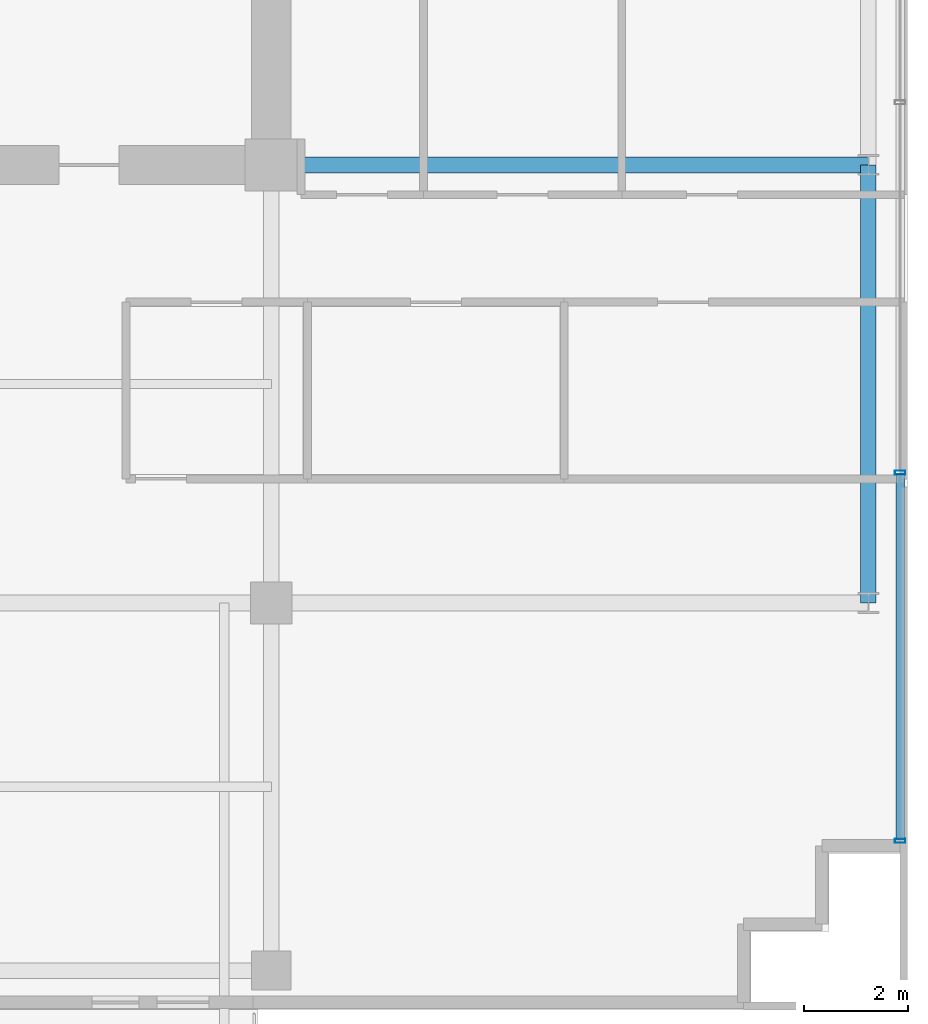
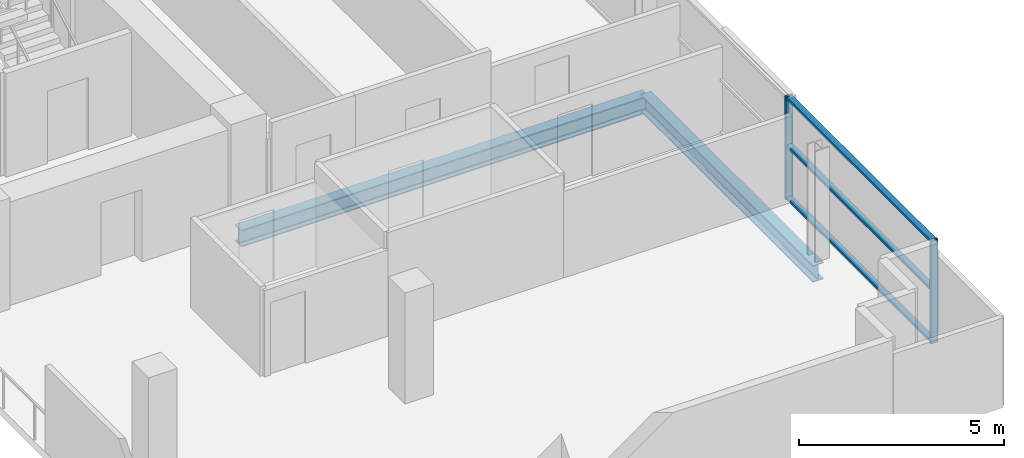
# One storey, part 7 of 22: 5 members, 2 beams, 1 element without a shape of its own.
"""IFC4 building model written with IfcOpenShell, lengths in metres."""

from ifc_helpers import new_model, si_unit, direction, frame, origin, origin_2d, place, context, subcontext, project, spatial, hollow_rectangle, i_section, extrude, source, transform, mapped, material, layer, layer_set, material_profile, profile_set, type_object, element, aggregate, save


model = new_model("IFC4")

# Units and contexts
model_context = context("Model", 3, precision=1e-05, world=origin(), true_north=direction((0.0, 1.0)))
body_context = subcontext(model_context, "Body", "Model", "MODEL_VIEW")
ifc_project = project(units=[si_unit("LENGTHUNIT", "METRE"), si_unit("AREAUNIT", "SQUARE_METRE"), si_unit("VOLUMEUNIT", "CUBIC_METRE"), si_unit("PLANEANGLEUNIT", "RADIAN"), si_unit("MASSUNIT", "GRAM", prefix="KILO")], contexts=[model_context])

# Site, building, storey
site_placement = place(None, origin())
site = spatial("IfcSite", under=ifc_project, at=site_placement, CompositionType="ELEMENT")
building_placement = place(site_placement, origin())
building = spatial("IfcBuilding", under=site, at=building_placement, Name="Zarnakvel Exchange Tower", CompositionType="ELEMENT")
storey_placement = place(building_placement, frame((0.0, 0.0, 192.39990234375)))
storey = spatial("IfcBuildingStorey", under=building, at=storey_placement, Name="L54", CompositionType="ELEMENT", Elevation=192.39990234375)

# Beams
ifc_material_1 = material(Name="Steel S355", Category="steel")
ifc_material_profile_1 = material_profile(ifc_material_1, i_section(OverallWidth=0.300048828125, OverallDepth=0.5, WebThickness=0.014404296875, FlangeThickness=0.028076171875, FilletRadius=0.027099609375, at=origin_2d()))
ifc_profile_set_1 = profile_set([ifc_material_profile_1], Name="Steel S355")
beam_type_1 = type_object("IfcBeamType", Name="G-06", PredefinedType="BEAM", material=ifc_profile_set_1)
beam_1_placement = place(storey_placement, frame((14.39990234375, -1.199951171875, -0.474853515625), z_axis=(1.0, 0.0, 0.0), x_axis=(0.0, 1.0, 0.0)))
element("IfcBeam", 1, at=beam_1_placement, inside=storey, type_object=beam_type_1, Name="L54 Tower E-W Frame Beam", PredefinedType="BEAM", context=body_context, shape_type="SweptSolid", body=[
    extrude(i_section(OverallWidth=0.300048828125, OverallDepth=0.5, WebThickness=0.014404296875, FlangeThickness=0.028076171875, FilletRadius=0.027099609375, at=origin_2d()), origin(), (0.0, 0.0, 1.0), 11.4501953125),
])
ifc_material_profile_2 = material_profile(ifc_material_1, i_section(OverallWidth=0.300048828125, OverallDepth=0.5, WebThickness=0.014404296875, FlangeThickness=0.028076171875, FilletRadius=0.027099609375, at=origin_2d()))
ifc_profile_set_2 = profile_set([ifc_material_profile_2], Name="Steel S355")
beam_type_2 = type_object("IfcBeamType", Name="SP-02", PredefinedType="SPANDREL", material=ifc_profile_set_2)
beam_2_placement = place(storey_placement, frame((25.85009765625, -9.60009765625, -0.474853515625), z_axis=(0.0, 1.0, 0.0), x_axis=(-1.0, 0.0, 0.0)))
element("IfcBeam", 2, at=beam_2_placement, inside=storey, type_object=beam_type_2, Name="L54 Tower N-S Frame Beam", PredefinedType="SPANDREL", context=body_context, shape_type="SweptSolid", body=[
    extrude(i_section(OverallWidth=0.300048828125, OverallDepth=0.5, WebThickness=0.014404296875, FlangeThickness=0.028076171875, FilletRadius=0.027099609375, at=origin_2d()), origin(), (0.0, 0.0, 1.0), 8.400146484375),
])

# Curtain wall, members
ifc_material_2 = material(Name="Architectural Bronze Anodised Aluminium", Category="aluminium")
ifc_layer = layer(ifc_material_2, 0.199951171875)
ifc_layer_set = layer_set([ifc_layer], Name="Architectural Bronze Anodised Aluminium")
curtain_wall_type = type_object("IfcCurtainWallType", Name="CW-04", PredefinedType="NOTDEFINED", material=ifc_layer_set)
curtain_wall_placement = place(storey_placement, origin())
curtain_wall = element("IfcCurtainWall", 3, at=curtain_wall_placement, inside=storey, type_object=curtain_wall_type, Name="L54 Curtain Wall CW-L54-E1 (CW-04)", PredefinedType="NOTDEFINED")
ifc_material_profile_3 = material_profile(ifc_material_2, hollow_rectangle(XDim=0.199951171875, YDim=0.074951171875, WallThickness=0.0048828125, at=origin_2d()))
ifc_profile_set_3 = profile_set([ifc_material_profile_3], Name="Architectural Bronze Anodised Aluminium")
member_type_1 = type_object("IfcMemberType", Name="CWM-04", PredefinedType="MULLION", material=ifc_profile_set_3)
shared_shape_1 = source(origin(), body_context, "Body", "SweptSolid", [
    extrude(hollow_rectangle(XDim=0.199951171875, YDim=0.074951171875, WallThickness=0.0048828125, at=origin_2d()), origin(), (0.0, 0.0, 1.0), 3.05517578125),
])
member_1_placement = place(storey_placement, frame((26.4599609375, -14.16259765625, 0.0), z_axis=(0.0, 0.0, 1.0), x_axis=(-1.0, 0.0, 0.0)))
member_1 = element("IfcMember", 4, at=member_1_placement, type_object=member_type_1, Name="CW-04 mullion 1", PredefinedType="MULLION", context=body_context, shape_type="MappedRepresentation", body=[
    mapped(shared_shape_1, transform((0.0, 0.0, 0.0), x_axis=(1.0, 0.0, 0.0), y_axis=(0.0, 1.0, 0.0), z_axis=(0.0, 0.0, 1.0), scale=1.0)),
])
member_2_placement = place(storey_placement, frame((26.4599609375, -7.10009765625, 0.0), z_axis=(0.0, 0.0, 1.0), x_axis=(-1.0, 0.0, 0.0)))
member_2 = element("IfcMember", 5, at=member_2_placement, type_object=member_type_1, Name="CW-04 mullion 2", PredefinedType="MULLION", context=body_context, shape_type="MappedRepresentation", body=[
    mapped(shared_shape_1, transform((0.0, 0.0, 0.0), x_axis=(1.0, 0.0, 0.0), y_axis=(0.0, 1.0, 0.0), z_axis=(0.0, 0.0, 1.0), scale=1.0)),
])
ifc_material_profile_4 = material_profile(ifc_material_2, hollow_rectangle(XDim=0.159912109375, YDim=0.074951171875, WallThickness=0.00390625, at=origin_2d()))
ifc_profile_set_4 = profile_set([ifc_material_profile_4], Name="Architectural Bronze Anodised Aluminium")
member_type_2 = type_object("IfcMemberType", Name="CWT-04", PredefinedType="USERDEFINED", material=ifc_profile_set_4)
shared_shape_2 = source(origin(), body_context, "Body", "SweptSolid", [
    extrude(hollow_rectangle(XDim=0.159912109375, YDim=0.074951171875, WallThickness=0.00390625, at=origin_2d()), origin(), (0.0, 0.0, 1.0), 6.987548828125),
])
member_3_placement = place(storey_placement, frame((26.4599609375, -14.125, 0.03759765625), z_axis=(0.0, 1.0, 0.0), x_axis=(-1.0, 0.0, 0.0)))
member_3 = element("IfcMember", 6, at=member_3_placement, type_object=member_type_2, Name="CW-04 transom 1.1", ObjectType="TRANSOM", PredefinedType="USERDEFINED", context=body_context, shape_type="MappedRepresentation", body=[
    mapped(shared_shape_2, transform((0.0, 0.0, 0.0), x_axis=(1.0, 0.0, 0.0), y_axis=(0.0, 1.0, 0.0), z_axis=(0.0, 0.0, 1.0), scale=1.0)),
])
member_4_placement = place(storey_placement, frame((26.4599609375, -14.125, 1.588623046875), z_axis=(0.0, 1.0, 0.0), x_axis=(-1.0, 0.0, 0.0)))
member_4 = element("IfcMember", 7, at=member_4_placement, type_object=member_type_2, Name="CW-04 transom 1.2", ObjectType="TRANSOM", PredefinedType="USERDEFINED", context=body_context, shape_type="MappedRepresentation", body=[
    mapped(shared_shape_2, transform((0.0, 0.0, 0.0), x_axis=(1.0, 0.0, 0.0), y_axis=(0.0, 1.0, 0.0), z_axis=(0.0, 0.0, 1.0), scale=1.0)),
])
member_5_placement = place(storey_placement, frame((26.4599609375, -14.125, 3.017578125), z_axis=(0.0, 1.0, 0.0), x_axis=(-1.0, 0.0, 0.0)))
member_5 = element("IfcMember", 8, at=member_5_placement, type_object=member_type_2, Name="CW-04 transom 1.3", ObjectType="TRANSOM", PredefinedType="USERDEFINED", context=body_context, shape_type="MappedRepresentation", body=[
    mapped(shared_shape_2, transform((0.0, 0.0, 0.0), x_axis=(1.0, 0.0, 0.0), y_axis=(0.0, 1.0, 0.0), z_axis=(0.0, 0.0, 1.0), scale=1.0)),
])
aggregate(curtain_wall, [member_1, member_2, member_3, member_4, member_5])

save(model, "model.ifc")
